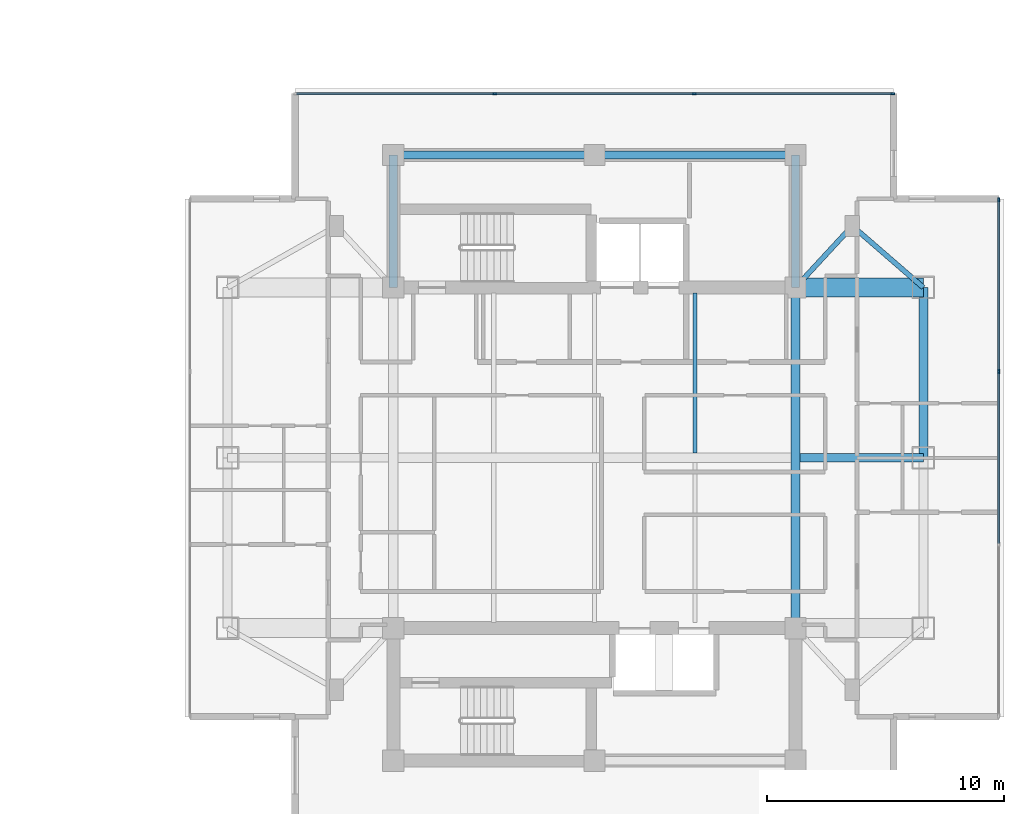
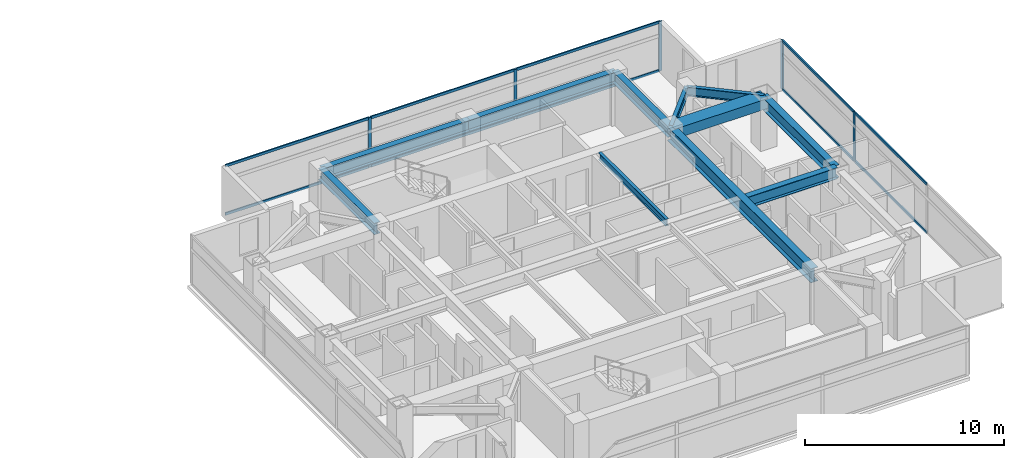
# One storey, part 10 of 24: 15 members, 11 beams, 2 elements without a shape of their own.
"""IFC4 building model written with IfcOpenShell, lengths in metres."""

from ifc_helpers import new_model, si_unit, direction, frame, origin, origin_2d, place, context, subcontext, project, spatial, rectangle, i_section, extrude, material, material_profile, profile_set, type_object, element, aggregate, save


model = new_model("IFC4")

# Units and contexts
model_context = context("Model", 3, precision=1e-05, world=origin(), true_north=direction((0.0, 1.0)))
body_context = subcontext(model_context, "Body", "Model", "MODEL_VIEW")
ifc_project = project(units=[si_unit("LENGTHUNIT", "METRE"), si_unit("AREAUNIT", "SQUARE_METRE"), si_unit("VOLUMEUNIT", "CUBIC_METRE"), si_unit("PLANEANGLEUNIT", "RADIAN"), si_unit("MASSUNIT", "GRAM", prefix="KILO")], contexts=[model_context])

# Site, building, storey
site_placement = place(None, origin())
site = spatial("IfcSite", under=ifc_project, at=site_placement, CompositionType="ELEMENT")
building_placement = place(site_placement, origin())
building = spatial("IfcBuilding", under=site, at=building_placement, Name="Mirazonda Arch Towers", CompositionType="ELEMENT")
storey_placement = place(building_placement, frame((0.0, 0.0, 193.39990234375)))
storey = spatial("IfcBuildingStorey", under=building, at=storey_placement, Name="L55", CompositionType="ELEMENT", Elevation=193.39990234375)

# Beams
ifc_material_1 = material(Name="Steel ASTM A992 Grade 50", Category="steel")
ifc_material_profile_1 = material_profile(ifc_material_1, i_section(OverallWidth=0.381103515625, OverallDepth=0.77294921875, WebThickness=0.0166015625, FlangeThickness=0.027099609375, at=origin_2d()), Name="W30X173")
ifc_profile_set_1 = profile_set([ifc_material_profile_1], Name="Steel ASTM A992 Grade 50")
beam_type_1 = type_object("IfcBeamType", Name="BM-EXT-W30X173", PredefinedType="USERDEFINED", material=ifc_profile_set_1)
beam_1_placement = place(storey_placement, frame((90.39990234375, 28.0, 2.66357421875), z_axis=(0.0, 1.0, 0.0), x_axis=(-1.0, 0.0, 0.0)))
element("IfcBeam", 1, at=beam_1_placement, inside=storey, type_object=beam_type_1, Name="L55 Floor Beam BM-T2-L55-NS-E-28", ObjectType="GIRDER", PredefinedType="USERDEFINED", context=body_context, shape_type="SweptSolid", body=[
    extrude(i_section(OverallWidth=0.381103515625, OverallDepth=0.77294921875, WebThickness=0.0166015625, FlangeThickness=0.027099609375, at=origin_2d()), origin(), (0.0, 0.0, 1.0), 7.199951171875),
])
ifc_material_profile_2 = material_profile(ifc_material_1, i_section(OverallWidth=0.180908203125, OverallDepth=0.4169921875, WebThickness=0.010986328125, FlangeThickness=0.018310546875, at=origin_2d()), Name="W16X57")
ifc_profile_set_2 = profile_set([ifc_material_profile_2], Name="Steel ASTM A992 Grade 50")
beam_type_2 = type_object("IfcBeamType", Name="BM-INT-W16X57", PredefinedType="JOIST", material=ifc_profile_set_2)
beam_2_placement = place(storey_placement, frame((80.75, 28.196044921875, 2.841552734375), z_axis=(0.0, 1.0, 0.0), x_axis=(-1.0, 0.0, 0.0)))
element("IfcBeam", 2, at=beam_2_placement, inside=storey, type_object=beam_type_2, Name="L55 Floor Beam BM-T2-L55-J-807-28", PredefinedType="JOIST", context=body_context, shape_type="SweptSolid", body=[
    extrude(i_section(OverallWidth=0.180908203125, OverallDepth=0.4169921875, WebThickness=0.010986328125, FlangeThickness=0.018310546875, at=origin_2d()), origin(), (0.0, 0.0, 1.0), 6.763916015625),
])
ifc_material_profile_3 = material_profile(ifc_material_1, i_section(OverallWidth=0.214111328125, OverallDepth=0.549072265625, WebThickness=0.0146484375, FlangeThickness=0.023681640625, at=origin_2d()), Name="W21X93")
ifc_profile_set_3 = profile_set([ifc_material_profile_3], Name="Steel ASTM A992 Grade 50")
beam_type_3 = type_object("IfcBeamType", Name="BM-INT-W21X93", PredefinedType="BEAM", material=ifc_profile_set_3)
beam_3_placement = place(storey_placement, frame((87.39990234375, 37.800048828125, 2.775634765625), z_axis=(-0.678251444854, -0.734829897019, 0.0), x_axis=(0.734829897019, -0.678251444854, 0.0)))
element("IfcBeam", 3, at=beam_3_placement, inside=storey, type_object=beam_type_3, Name="L55 Floor Beam BM-T2-L55-PL-NE1", PredefinedType="BEAM", context=body_context, shape_type="SweptSolid", body=[
    extrude(i_section(OverallWidth=0.214111328125, OverallDepth=0.549072265625, WebThickness=0.0146484375, FlangeThickness=0.023681640625, at=origin_2d()), origin(), (0.0, 0.0, 1.0), 3.538330078125),
])
beam_4_placement = place(storey_placement, frame((87.39990234375, 37.800048828125, 2.775634765625), z_axis=(0.755676908098, -0.654944585876, 0.0), x_axis=(0.654944585876, 0.755676908098, 0.0)))
element("IfcBeam", 4, at=beam_4_placement, inside=storey, type_object=beam_type_3, Name="L55 Floor Beam BM-T2-L55-PL-NE2", PredefinedType="BEAM", context=body_context, shape_type="SweptSolid", body=[
    extrude(i_section(OverallWidth=0.214111328125, OverallDepth=0.549072265625, WebThickness=0.0146484375, FlangeThickness=0.023681640625, at=origin_2d()), origin(), (0.0, 0.0, 1.0), 3.969970703125),
])
ifc_material_profile_4 = material_profile(ifc_material_1, i_section(OverallWidth=0.35498046875, OverallDepth=0.696044921875, WebThickness=0.015380859375, FlangeThickness=0.02490234375, at=origin_2d()), Name="W27X146")
ifc_profile_set_4 = profile_set([ifc_material_profile_4], Name="Steel ASTM A992 Grade 50")
beam_type_4 = type_object("IfcBeamType", Name="BM-INT-W27X146", PredefinedType="BEAM", material=ifc_profile_set_4)
for number, where, z_axis, x_axis, name in (
    (5, (68.0, 40.800048828125, 2.7021484375), (1.0, 0.0, 0.0), (0.0, 1.0, 0.0), "L55 Floor Beam BM-T2-L55-CN1"),
    (6, (76.5, 40.800048828125, 2.7021484375), (1.0, 0.0, 0.0), (0.0, 1.0, 0.0), "L55 Floor Beam BM-T2-L55-CN2"),
):
    element("IfcBeam", number, at=place(storey_placement, frame(where, z_axis=z_axis, x_axis=x_axis)), inside=storey, type_object=beam_type_4, Name=name, PredefinedType="BEAM", context=body_context, shape_type="SweptSolid", body=[
        extrude(i_section(OverallWidth=0.35498046875, OverallDepth=0.696044921875, WebThickness=0.015380859375, FlangeThickness=0.02490234375, at=origin_2d()), origin(), (0.0, 0.0, 1.0), 8.5),
    ])
for number, where, z_axis, x_axis, name in (
    (7, (68.0, 35.199951171875, 2.7021484375), (0.0, 1.0, 0.0), (-1.0, 0.0, 0.0), "L55 Floor Beam BM-T2-L55-CNW"),
    (8, (85.0, 35.199951171875, 2.7021484375), (0.0, 1.0, 0.0), (-1.0, 0.0, 0.0), "L55 Floor Beam BM-T2-L55-CNE"),
):
    element("IfcBeam", number, at=place(storey_placement, frame(where, z_axis=z_axis, x_axis=x_axis)), inside=storey, type_object=beam_type_4, Name=name, PredefinedType="BEAM", context=body_context, shape_type="SweptSolid", body=[
        extrude(i_section(OverallWidth=0.35498046875, OverallDepth=0.696044921875, WebThickness=0.015380859375, FlangeThickness=0.02490234375, at=origin_2d()), origin(), (0.0, 0.0, 1.0), 5.60009765625),
    ])
beam_5_placement = place(storey_placement, frame((85.199951171875, 28.0, 2.7021484375), z_axis=(1.0, 0.0, 0.0), x_axis=(0.0, 1.0, 0.0)))
element("IfcBeam", 9, at=beam_5_placement, inside=storey, type_object=beam_type_4, Name="L55 Floor Beam BM-T2-L55-GE2", PredefinedType="BEAM", context=body_context, shape_type="SweptSolid", body=[
    extrude(i_section(OverallWidth=0.35498046875, OverallDepth=0.696044921875, WebThickness=0.015380859375, FlangeThickness=0.02490234375, at=origin_2d()), origin(), (0.0, 0.0, 1.0), 5.199951171875),
])
ifc_material_profile_5 = material_profile(ifc_material_1, i_section(OverallWidth=0.39990234375, OverallDepth=0.85595703125, WebThickness=0.018310546875, FlangeThickness=0.029296875, at=origin_2d()), Name="W33X201")
ifc_profile_set_5 = profile_set([ifc_material_profile_5], Name="Steel ASTM A992 Grade 50")
beam_type_5 = type_object("IfcBeamType", Name="BM-INT-W33X201", PredefinedType="USERDEFINED", material=ifc_profile_set_5)
beam_6_placement = place(storey_placement, frame((85.0, 20.800048828125, 2.6220703125), z_axis=(0.0, 1.0, 0.0), x_axis=(-1.0, 0.0, 0.0)))
element("IfcBeam", 10, at=beam_6_placement, inside=storey, type_object=beam_type_5, Name="L55 Floor Beam BM-T2-L55-NS-CE-FULL", ObjectType="GIRDER", PredefinedType="USERDEFINED", context=body_context, shape_type="SweptSolid", body=[
    extrude(i_section(OverallWidth=0.39990234375, OverallDepth=0.85595703125, WebThickness=0.018310546875, FlangeThickness=0.029296875, at=origin_2d()), origin(), (0.0, 0.0, 1.0), 14.39990234375),
])
ifc_material_2 = material(Name="Concrete C60/75", Category="concrete")
ifc_material_profile_6 = material_profile(ifc_material_2, rectangle(XDim=0.800048828125, YDim=0.60009765625, at=origin_2d()), Name="RCCB800x600")
ifc_profile_set_6 = profile_set([ifc_material_profile_6], Name="Concrete C60/75")
beam_type_6 = type_object("IfcBeamType", Name="CB-INT-RCCB800x600", PredefinedType="SPANDREL", material=ifc_profile_set_6)
beam_7_placement = place(storey_placement, frame((85.0, 35.199951171875, 2.75), z_axis=(1.0, 0.0, 0.0), x_axis=(0.0, 1.0, 0.0)))
element("IfcBeam", 11, at=beam_7_placement, inside=storey, type_object=beam_type_6, Name="L55 Floor Beam CBC-T2-L55-NE", PredefinedType="SPANDREL", context=body_context, shape_type="SweptSolid", body=[
    extrude(rectangle(XDim=0.800048828125, YDim=0.60009765625, at=origin_2d()), origin(), (0.0, 0.0, 1.0), 5.39990234375),
])

# Curtain wall, members
ifc_material_3 = material(Name="Anodised Aluminium and Low-E Glass", Category="aluminium")
curtain_wall_type = type_object("IfcCurtainWallType", Name="CW-RES-UNIT", PredefinedType="NOTDEFINED", material=ifc_material_3)
curtain_wall_1_placement = place(storey_placement, origin())
curtain_wall_1 = element("IfcCurtainWall", 12, at=curtain_wall_1_placement, inside=storey, type_object=curtain_wall_type, Name="L55 T2 E Facade CW-L55-T2-E", PredefinedType="NOTDEFINED")
ifc_material_4 = material(Name="Anodised Aluminium Alloy", Category="aluminium")
ifc_material_profile_7 = material_profile(ifc_material_4, rectangle(XDim=0.074951171875, YDim=0.175048828125, at=origin_2d()), Name="ALU-MULL-75x175")
ifc_profile_set_7 = profile_set([ifc_material_profile_7], Name="Anodised Aluminium Alloy")
member_type_1 = type_object("IfcMemberType", Name="MULL-CW-RES-UNIT", PredefinedType="MULLION", material=ifc_profile_set_7)
member_1_placement = place(storey_placement, frame((93.591552734375, 31.649658203125, 0.0), z_axis=(0.0, 0.0, 1.0), x_axis=(-1.0, 0.0, 0.0)))
member_1 = element("IfcMember", 13, at=member_1_placement, type_object=member_type_1, Name="CW-104 mullion 3", PredefinedType="MULLION", context=body_context, shape_type="SweptSolid", body=[
    extrude(rectangle(XDim=0.074951171875, YDim=0.175048828125, at=origin_2d()), origin(), (0.0, 0.0, 1.0), 3.030029296875),
])
member_2_placement = place(storey_placement, frame((93.591552734375, 38.9111328125, 0.0), z_axis=(0.0, 0.0, 1.0), x_axis=(-1.0, 0.0, 0.0)))
member_2 = element("IfcMember", 14, at=member_2_placement, type_object=member_type_1, Name="CW-104 mullion 4", PredefinedType="MULLION", context=body_context, shape_type="SweptSolid", body=[
    extrude(rectangle(XDim=0.074951171875, YDim=0.175048828125, at=origin_2d()), origin(), (0.0, 0.0, 1.0), 3.030029296875),
])

curtain_wall_2_placement = place(storey_placement, origin())
curtain_wall_2 = element("IfcCurtainWall", 15, at=curtain_wall_2_placement, inside=storey, type_object=curtain_wall_type, Name="L55 T2 N Facade CW-L55-T2-N", PredefinedType="NOTDEFINED")
member_3_placement = place(storey_placement, frame((72.28271484375, 43.388427734375, 0.0), z_axis=(0.0, 0.0, 1.0), x_axis=(0.0, 1.0, 0.0)))
member_3 = element("IfcMember", 16, at=member_3_placement, type_object=member_type_1, Name="CW-104 mullion 2", PredefinedType="MULLION", context=body_context, shape_type="SweptSolid", body=[
    extrude(rectangle(XDim=0.074951171875, YDim=0.175048828125, at=origin_2d()), origin(), (0.0, 0.0, 1.0), 3.030029296875),
])
member_4_placement = place(storey_placement, frame((80.71728515625, 43.388427734375, 0.0), z_axis=(0.0, 0.0, 1.0), x_axis=(0.0, 1.0, 0.0)))
member_4 = element("IfcMember", 17, at=member_4_placement, type_object=member_type_1, Name="CW-104 mullion 3", PredefinedType="MULLION", context=body_context, shape_type="SweptSolid", body=[
    extrude(rectangle(XDim=0.074951171875, YDim=0.175048828125, at=origin_2d()), origin(), (0.0, 0.0, 1.0), 3.030029296875),
])
member_5_placement = place(storey_placement, frame((89.1142578125, 43.388427734375, 0.0), z_axis=(0.0, 0.0, 1.0), x_axis=(0.0, 1.0, 0.0)))
member_5 = element("IfcMember", 18, at=member_5_placement, type_object=member_type_1, Name="CW-104 mullion 4", PredefinedType="MULLION", context=body_context, shape_type="SweptSolid", body=[
    extrude(rectangle(XDim=0.074951171875, YDim=0.175048828125, at=origin_2d()), origin(), (0.0, 0.0, 1.0), 3.030029296875),
])

# Member
ifc_material_profile_8 = material_profile(ifc_material_4, rectangle(XDim=0.074951171875, YDim=0.155029296875, at=origin_2d()), Name="ALU-TRAN-75x155")
ifc_profile_set_8 = profile_set([ifc_material_profile_8], Name="Anodised Aluminium Alloy")
member_type_2 = type_object("IfcMemberType", Name="TRAN-CW-RES-UNIT", PredefinedType="USERDEFINED", material=ifc_profile_set_8)
member_6_placement = place(storey_placement, frame((93.591552734375, 24.387939453125, 0.03759765625), z_axis=(0.0, 1.0, 0.0), x_axis=(-1.0, 0.0, 0.0)))
member_6 = element("IfcMember", 19, at=member_6_placement, type_object=member_type_2, Name="CW-104 transom 2.1", ObjectType="TRANSOM", PredefinedType="USERDEFINED", context=body_context, shape_type="SweptSolid", body=[
    extrude(rectangle(XDim=0.074951171875, YDim=0.155029296875, at=origin_2d()), origin(), (0.0, 0.0, 1.0), 7.22412109375),
])

member_7_placement = place(storey_placement, frame((93.591552734375, 24.387939453125, 2.99267578125), z_axis=(0.0, 1.0, 0.0), x_axis=(-1.0, 0.0, 0.0)))
member_7 = element("IfcMember", 20, at=member_7_placement, type_object=member_type_2, Name="CW-104 transom 2.2", ObjectType="TRANSOM", PredefinedType="USERDEFINED", context=body_context, shape_type="SweptSolid", body=[
    extrude(rectangle(XDim=0.074951171875, YDim=0.155029296875, at=origin_2d()), origin(), (0.0, 0.0, 1.0), 7.22412109375),
])

member_8_placement = place(storey_placement, frame((93.591552734375, 31.68701171875, 0.03759765625), z_axis=(0.0, 1.0, 0.0), x_axis=(-1.0, 0.0, 0.0)))
member_8 = element("IfcMember", 21, at=member_8_placement, type_object=member_type_2, Name="CW-104 transom 3.1", ObjectType="TRANSOM", PredefinedType="USERDEFINED", context=body_context, shape_type="SweptSolid", body=[
    extrude(rectangle(XDim=0.074951171875, YDim=0.155029296875, at=origin_2d()), origin(), (0.0, 0.0, 1.0), 7.186767578125),
])

member_9_placement = place(storey_placement, frame((93.591552734375, 31.68701171875, 2.99267578125), z_axis=(0.0, 1.0, 0.0), x_axis=(-1.0, 0.0, 0.0)))
member_9 = element("IfcMember", 22, at=member_9_placement, type_object=member_type_2, Name="CW-104 transom 3.2", ObjectType="TRANSOM", PredefinedType="USERDEFINED", context=body_context, shape_type="SweptSolid", body=[
    extrude(rectangle(XDim=0.074951171875, YDim=0.155029296875, at=origin_2d()), origin(), (0.0, 0.0, 1.0), 7.186767578125),
])

aggregate(curtain_wall_1, [member_1, member_2, member_6, member_7, member_8, member_9])

member_10_placement = place(storey_placement, frame((63.923095703125, 43.388427734375, 0.03759765625), z_axis=(1.0, 0.0, 0.0), x_axis=(0.0, 1.0, 0.0)))
member_10 = element("IfcMember", 23, at=member_10_placement, type_object=member_type_2, Name="CW-104 transom 1.1", ObjectType="TRANSOM", PredefinedType="USERDEFINED", context=body_context, shape_type="SweptSolid", body=[
    extrude(rectangle(XDim=0.074951171875, YDim=0.155029296875, at=origin_2d()), origin(), (0.0, 0.0, 1.0), 8.322021484375),
])

member_11_placement = place(storey_placement, frame((63.923095703125, 43.388427734375, 2.99267578125), z_axis=(1.0, 0.0, 0.0), x_axis=(0.0, 1.0, 0.0)))
member_11 = element("IfcMember", 24, at=member_11_placement, type_object=member_type_2, Name="CW-104 transom 1.2", ObjectType="TRANSOM", PredefinedType="USERDEFINED", context=body_context, shape_type="SweptSolid", body=[
    extrude(rectangle(XDim=0.074951171875, YDim=0.155029296875, at=origin_2d()), origin(), (0.0, 0.0, 1.0), 8.322021484375),
])

member_12_placement = place(storey_placement, frame((72.3203125, 43.388427734375, 0.03759765625), z_axis=(1.0, 0.0, 0.0), x_axis=(0.0, 1.0, 0.0)))
member_12 = element("IfcMember", 25, at=member_12_placement, type_object=member_type_2, Name="CW-104 transom 2.1", ObjectType="TRANSOM", PredefinedType="USERDEFINED", context=body_context, shape_type="SweptSolid", body=[
    extrude(rectangle(XDim=0.074951171875, YDim=0.155029296875, at=origin_2d()), origin(), (0.0, 0.0, 1.0), 8.359375),
])

member_13_placement = place(storey_placement, frame((72.3203125, 43.388427734375, 2.99267578125), z_axis=(1.0, 0.0, 0.0), x_axis=(0.0, 1.0, 0.0)))
member_13 = element("IfcMember", 26, at=member_13_placement, type_object=member_type_2, Name="CW-104 transom 2.2", ObjectType="TRANSOM", PredefinedType="USERDEFINED", context=body_context, shape_type="SweptSolid", body=[
    extrude(rectangle(XDim=0.074951171875, YDim=0.155029296875, at=origin_2d()), origin(), (0.0, 0.0, 1.0), 8.359375),
])

member_14_placement = place(storey_placement, frame((80.7548828125, 43.388427734375, 0.03759765625), z_axis=(1.0, 0.0, 0.0), x_axis=(0.0, 1.0, 0.0)))
member_14 = element("IfcMember", 27, at=member_14_placement, type_object=member_type_2, Name="CW-104 transom 3.1", ObjectType="TRANSOM", PredefinedType="USERDEFINED", context=body_context, shape_type="SweptSolid", body=[
    extrude(rectangle(XDim=0.074951171875, YDim=0.155029296875, at=origin_2d()), origin(), (0.0, 0.0, 1.0), 8.322021484375),
])

member_15_placement = place(storey_placement, frame((80.7548828125, 43.388427734375, 2.99267578125), z_axis=(1.0, 0.0, 0.0), x_axis=(0.0, 1.0, 0.0)))
member_15 = element("IfcMember", 28, at=member_15_placement, type_object=member_type_2, Name="CW-104 transom 3.2", ObjectType="TRANSOM", PredefinedType="USERDEFINED", context=body_context, shape_type="SweptSolid", body=[
    extrude(rectangle(XDim=0.074951171875, YDim=0.155029296875, at=origin_2d()), origin(), (0.0, 0.0, 1.0), 8.322021484375),
])

aggregate(curtain_wall_2, [member_3, member_4, member_5, member_10, member_11, member_12, member_13, member_14, member_15])

save(model, "model.ifc")
